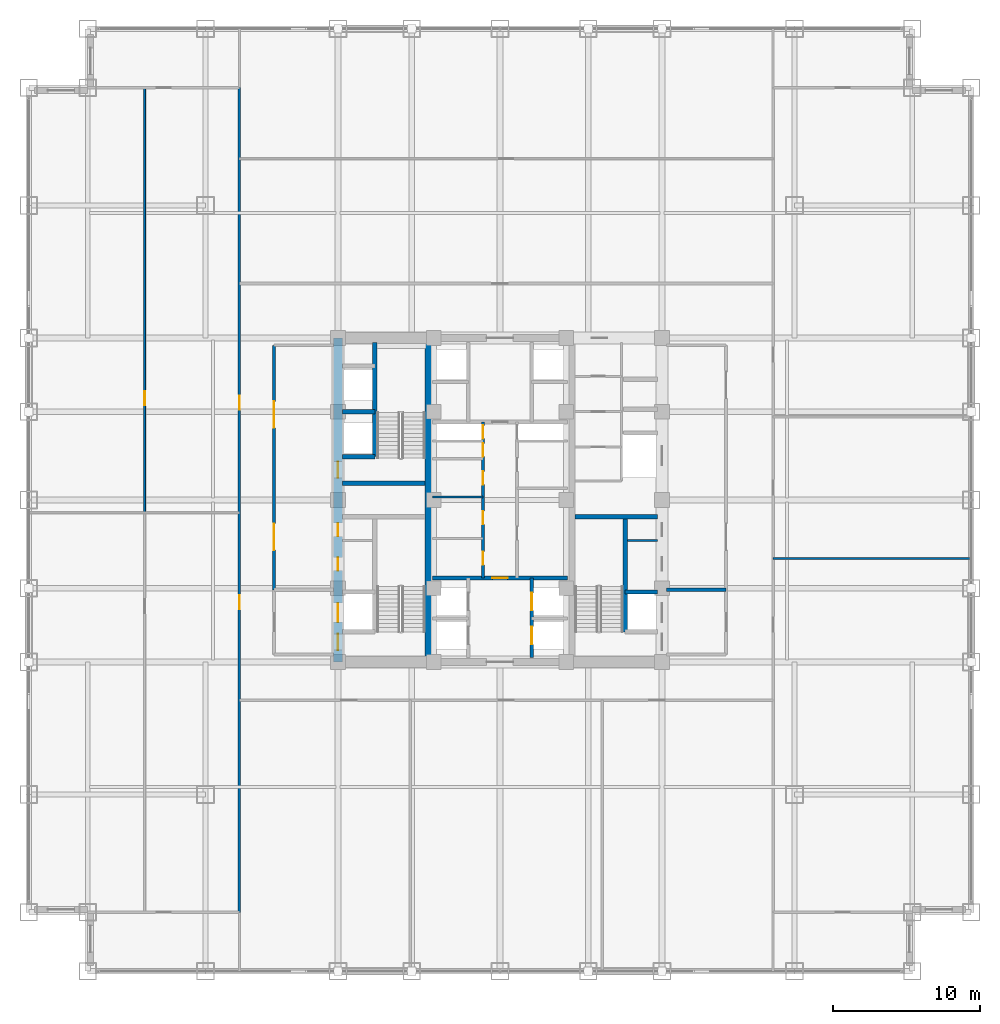
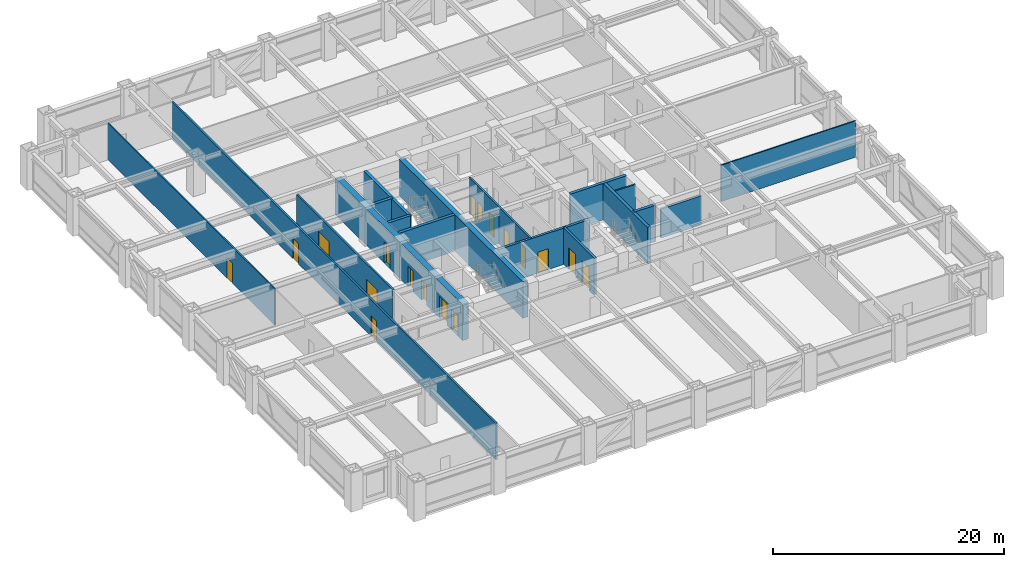
# One storey, part 24 of 27: 19 walls, 18 doors, 18 openings.
"""IFC4 building model written with IfcOpenShell, lengths in metres."""

from ifc_helpers import new_model, si_unit, direction, frame, frame_2d, origin, place, context, subcontext, project, spatial, rectangle, extrude, source, transform, mapped, material, layer, layer_set, type_object, element, fill, save


model = new_model("IFC4")

# Units and contexts
model_context = context("Model", 3, precision=1e-05, world=origin(), true_north=direction((0.0, 1.0)))
body_context = subcontext(model_context, "Body", "Model", "MODEL_VIEW")
ifc_project = project(units=[si_unit("LENGTHUNIT", "METRE"), si_unit("AREAUNIT", "SQUARE_METRE"), si_unit("VOLUMEUNIT", "CUBIC_METRE"), si_unit("PLANEANGLEUNIT", "RADIAN"), si_unit("MASSUNIT", "GRAM", prefix="KILO")], contexts=[model_context])

# Site, building, storey
site_placement = place(None, origin())
site = spatial("IfcSite", under=ifc_project, at=site_placement, CompositionType="ELEMENT")
building_placement = place(site_placement, origin())
building = spatial("IfcBuilding", under=site, at=building_placement, Name="Khorayat Bourse Tower", CompositionType="ELEMENT")
storey_placement = place(building_placement, frame((0.0, 0.0, 107.800048828125)))
storey = spatial("IfcBuildingStorey", under=building, at=storey_placement, Name="L24", CompositionType="ELEMENT", Elevation=107.800048828125)

# Wall, openings, doors
ifc_material_1 = material(Name="Concrete C60/75", Category="concrete")
ifc_layer_1 = layer(ifc_material_1, 0.60009765625)
ifc_layer_set_1 = layer_set([ifc_layer_1], Name="Concrete C60/75")
wall_type_1 = type_object("IfcWallType", Name="WAL-CORE-600", PredefinedType="SHEAR", material=ifc_layer_set_1)
shared_shape_1 = source(origin(), body_context, "Body", "SweptSolid", [
    extrude(rectangle(XDim=22.0, YDim=0.60009765625, at=frame_2d((11.0, 0.0))), origin(), (0.0, 0.0, 1.0), 3.83984375),
])
wall_1_placement = place(storey_placement, frame((-11.0, -11.0, 0.0), z_axis=(0.0, 0.0, 1.0), x_axis=(0.0, 1.0, 0.0)))
wall_1 = element("IfcWall", 1, at=wall_1_placement, inside=storey, type_object=wall_type_1, Name="L24 Core Shear Wall CORE-W", PredefinedType="SHEAR", context=body_context, shape_type="MappedRepresentation", body=[
    mapped(shared_shape_1, transform((0.0, 0.0, 0.0), scale=1.0)),
])
shared_shape_2 = source(origin(), body_context, "Body", "SweptSolid", [
    extrude(rectangle(XDim=1.10009765625, YDim=2.199951171875, at=frame_2d((0.550048828125, 1.10009765625))), frame((0.0, 0.31005859375, 0.0), z_axis=(0.0, -1.0, 0.0), x_axis=(1.0, 0.0, 0.0)), (0.0, 0.0, 1.0), 0.6201171875),
])
opening_1_placement = place(wall_1_placement, frame((0.800048828125, 0.0, 0.0)))
opening_1 = element("IfcOpeningElement", 2, at=opening_1_placement, cuts=wall_1, Name="Opening DI-01", PredefinedType="OPENING", context=body_context, shape_type="MappedRepresentation", body=[
    mapped(shared_shape_2, transform((0.0, 0.0, 0.0), scale=1.0)),
])
opening_2_placement = place(wall_1_placement, frame((12.5, 0.0, 0.0)))
opening_2 = element("IfcOpeningElement", 3, at=opening_2_placement, cuts=wall_1, Name="Opening DI-01", PredefinedType="OPENING", context=body_context, shape_type="MappedRepresentation", body=[
    mapped(shared_shape_2, transform((0.0, 0.0, 0.0), scale=1.0)),
])
shared_shape_3 = source(origin(), body_context, "Body", "SweptSolid", [
    extrude(rectangle(XDim=0.89990234375, YDim=2.14990234375, at=frame_2d((0.449951171875, 1.074951171875))), frame((0.0, 0.31005859375, 0.0), z_axis=(0.0, -1.0, 0.0), x_axis=(1.0, 0.0, 0.0)), (0.0, 0.0, 1.0), 0.6201171875),
])
opening_3_placement = place(wall_1_placement, frame((6.199951171875, 0.0, 0.0)))
opening_3 = element("IfcOpeningElement", 4, at=opening_3_placement, cuts=wall_1, Name="Opening DI-06", PredefinedType="OPENING", context=body_context, shape_type="MappedRepresentation", body=[
    mapped(shared_shape_3, transform((0.0, 0.0, 0.0), scale=1.0)),
])
opening_4_placement = place(wall_1_placement, frame((8.52490234375, 0.0, 0.0)))
opening_4 = element("IfcOpeningElement", 5, at=opening_4_placement, cuts=wall_1, Name="Opening DI-06", PredefinedType="OPENING", context=body_context, shape_type="MappedRepresentation", body=[
    mapped(shared_shape_3, transform((0.0, 0.0, 0.0), scale=1.0)),
])
shared_shape_4 = source(origin(), body_context, "Body", "SweptSolid", [
    extrude(rectangle(XDim=1.300048828125, YDim=2.300048828125, at=frame_2d((0.64990234375, 1.14990234375))), frame((0.0, 0.31005859375, 0.0), z_axis=(0.0, -1.0, 0.0), x_axis=(1.0, 0.0, 0.0)), (0.0, 0.0, 1.0), 0.6201171875),
])
opening_5_placement = place(wall_1_placement, frame((2.699951171875, 0.0, 0.0)))
opening_5 = element("IfcOpeningElement", 6, at=opening_5_placement, cuts=wall_1, Name="Opening LD-02", PredefinedType="OPENING", context=body_context, shape_type="MappedRepresentation", body=[
    mapped(shared_shape_4, transform((0.0, 0.0, 0.0), scale=1.0)),
])
ifc_material_2 = material(Name="Fire-rated steel acoustic leaf", Category="steel")
door_type_1 = type_object("IfcDoorType", Name="DR-INT-STAIR-1100", OperationType="NOTDEFINED", PredefinedType="DOOR", material=ifc_material_2)
shared_shape_5 = source(origin(), body_context, "Body", "SweptSolid", [
    extrude(rectangle(XDim=1.10009765625, YDim=2.199951171875, at=frame_2d((0.550048828125, 1.10009765625))), frame((0.0, 0.02490234375, 0.0), z_axis=(0.0, -1.0, 0.0), x_axis=(1.0, 0.0, 0.0)), (0.0, 0.0, 1.0), 0.050048828125),
])
door_1_placement = place(opening_1_placement, origin())
door_1 = element("IfcDoor", 7, at=door_1_placement, inside=storey, type_object=door_type_1, Name="L24 Exit Stair 1 Door", OperationType="SINGLE_SWING_RIGHT", OverallHeight=2.199951171875, OverallWidth=1.10009765625, PredefinedType="DOOR", context=body_context, shape_type="MappedRepresentation", body=[
    mapped(shared_shape_5, transform((0.0, 0.0, 0.0), scale=1.0)),
])
fill(opening_1, door_1)
door_2_placement = place(opening_2_placement, origin())
door_2 = element("IfcDoor", 8, at=door_2_placement, inside=storey, type_object=door_type_1, Name="L24 Exit Stair 2 Door", OperationType="SINGLE_SWING_RIGHT", OverallHeight=2.199951171875, OverallWidth=1.10009765625, PredefinedType="DOOR", context=body_context, shape_type="MappedRepresentation", body=[
    mapped(shared_shape_5, transform((0.0, 0.0, 0.0), scale=1.0)),
])
fill(opening_2, door_2)
ifc_material_3 = material(Name="Moisture-resistant laminate washroom door")
door_type_2 = type_object("IfcDoorType", Name="DR-INT-WC-900", OperationType="NOTDEFINED", PredefinedType="DOOR", material=ifc_material_3)
shared_shape_6 = source(origin(), body_context, "Body", "SweptSolid", [
    extrude(rectangle(XDim=0.89990234375, YDim=2.14990234375, at=frame_2d((0.449951171875, 1.074951171875))), frame((0.0, 0.02490234375, 0.0), z_axis=(0.0, -1.0, 0.0), x_axis=(1.0, 0.0, 0.0)), (0.0, 0.0, 1.0), 0.050048828125),
])
door_3_placement = place(opening_3_placement, origin())
door_3 = element("IfcDoor", 9, at=door_3_placement, inside=storey, type_object=door_type_2, Name="L24 Switch Closet Door", OperationType="SINGLE_SWING_RIGHT", OverallHeight=2.14990234375, OverallWidth=0.89990234375, PredefinedType="DOOR", context=body_context, shape_type="MappedRepresentation", body=[
    mapped(shared_shape_6, transform((0.0, 0.0, 0.0), scale=1.0)),
])
fill(opening_3, door_3)
door_4_placement = place(opening_4_placement, origin())
door_4 = element("IfcDoor", 10, at=door_4_placement, inside=storey, type_object=door_type_2, Name="L24 Janitor Store Door", OperationType="SINGLE_SWING_LEFT", OverallHeight=2.14990234375, OverallWidth=0.89990234375, PredefinedType="DOOR", context=body_context, shape_type="MappedRepresentation", body=[
    mapped(shared_shape_6, transform((0.0, 0.0, 0.0), scale=1.0)),
])
fill(opening_4, door_4)
ifc_material_4 = material(Name="Fire-rated stainless-steel sliding landing door", Category="steel")
door_type_3 = type_object("IfcDoorType", Name="DR-LIFT-FF-1300", OperationType="NOTDEFINED", PredefinedType="DOOR", material=ifc_material_4)
shared_shape_7 = source(origin(), body_context, "Body", "SweptSolid", [
    extrude(rectangle(XDim=1.300048828125, YDim=2.300048828125, at=frame_2d((0.64990234375, 1.14990234375))), frame((0.0, 0.02490234375, 0.0), z_axis=(0.0, -1.0, 0.0), x_axis=(1.0, 0.0, 0.0)), (0.0, 0.0, 1.0), 0.050048828125),
])
door_5_placement = place(opening_5_placement, origin())
door_5 = element("IfcDoor", 11, at=door_5_placement, inside=storey, type_object=door_type_3, Name="L24 Lift FFL-01 Sliding Landing Door", OperationType="SLIDING_TO_LEFT", OverallHeight=2.300048828125, OverallWidth=1.300048828125, PredefinedType="DOOR", context=body_context, shape_type="MappedRepresentation", body=[
    mapped(shared_shape_7, transform((0.0, 0.0, 0.0), scale=1.0)),
])
fill(opening_5, door_5)

# Walls
ifc_material_5 = material(Name="Concrete C52/65", Category="concrete")
ifc_layer_2 = layer(ifc_material_5, 0.5)
ifc_layer_set_2 = layer_set([ifc_layer_2], Name="Concrete C52/65")
wall_type_2 = type_object("IfcWallType", Name="WAL-CORE-500", PredefinedType="SHEAR", material=ifc_layer_set_2)
shared_shape_8 = source(origin(), body_context, "Body", "SweptSolid", [
    extrude(rectangle(XDim=21.39990234375, YDim=0.5, at=frame_2d((10.699951171875, 0.0))), origin(), (0.0, 0.0, 1.0), 3.83984375),
])
wall_2_placement = place(storey_placement, frame((-4.85009765625, -10.699951171875, 0.0), z_axis=(0.0, 0.0, 1.0), x_axis=(0.0, 1.0, 0.0)))
element("IfcWall", 12, at=wall_2_placement, inside=storey, type_object=wall_type_2, Name="L24 Core Shear Wall PIER-W", PredefinedType="SHEAR", context=body_context, shape_type="MappedRepresentation", body=[
    mapped(shared_shape_8, transform((0.0, 0.0, 0.0), scale=1.0)),
])
ifc_material_6 = material(Name="Concrete C50/60", Category="concrete")
ifc_layer_3 = layer(ifc_material_6, 0.300048828125)
ifc_layer_set_3 = layer_set([ifc_layer_3], Name="Concrete C50/60")
wall_type_3 = type_object("IfcWallType", Name="WAL-SHAFT-300", PredefinedType="SHEAR", material=ifc_layer_set_3)
shared_shape_9 = source(origin(), body_context, "Body", "SweptSolid", [
    extrude(rectangle(XDim=5.599853515625, YDim=0.300048828125, at=frame_2d((2.7998046875, 0.0))), origin(), (0.0, 0.0, 1.0), 3.83984375),
])
for number, where, z_axis, x_axis, name in (
    (13, (-10.699951171875, 1.14990234375, 0.0), (0.0, 0.0, 1.0), (1.0, 0.0, 0.0), "L24 Core Shear Wall ST2-DIV"),
    (14, (5.10009765625, -1.14990234375, 0.0), (0.0, 0.0, 1.0), (1.0, 0.0, 0.0), "L24 Core Shear Wall ST3-DIV"),
):
    element("IfcWall", number, at=place(storey_placement, frame(where, z_axis=z_axis, x_axis=x_axis)), inside=storey, type_object=wall_type_3, Name=name, PredefinedType="SHEAR", context=body_context, shape_type="MappedRepresentation", body=[
        mapped(shared_shape_9, transform((0.0, 0.0, 0.0), scale=1.0)),
    ])
ifc_material_7 = material(Name="Aerated concrete blockwork", Category="masonry")
ifc_layer_4 = layer(ifc_material_7, 0.219970703125)
ifc_layer_set_4 = layer_set([ifc_layer_4], Name="Aerated concrete blockwork")
wall_type_4 = type_object("IfcWallType", Name="WAL-PART-FF-220", PredefinedType="PARTITIONING", material=ifc_layer_set_4)
shared_shape_10 = source(origin(), body_context, "Body", "SweptSolid", [
    extrude(rectangle(XDim=4.050048828125, YDim=0.219970703125, at=frame_2d((2.02490234375, 0.0))), origin(), (0.0, 0.0, 1.0), 3.06689453125),
])
wall_3_placement = place(storey_placement, frame((11.300048828125, -6.10009765625, 0.0), z_axis=(0.0, 0.0, 1.0), x_axis=(1.0, 0.0, 0.0)))
element("IfcWall", 15, at=wall_3_placement, inside=storey, type_object=wall_type_4, Name="L24 Partition WAL-L24-FFLE-N", PredefinedType="PARTITIONING", context=body_context, shape_type="MappedRepresentation", body=[
    mapped(shared_shape_10, transform((0.0, 0.0, 0.0), scale=1.0)),
])
shared_shape_11 = source(origin(), body_context, "Body", "SweptSolid", [
    extrude(rectangle(XDim=7.800048828125, YDim=0.300048828125, at=frame_2d((3.89990234375, 0.0))), origin(), (0.0, 0.0, 1.0), 3.83984375),
])
wall_4_placement = place(storey_placement, frame((8.5, -8.949951171875, 0.0), z_axis=(0.0, 0.0, 1.0), x_axis=(0.0, 1.0, 0.0)))
element("IfcWall", 16, at=wall_4_placement, inside=storey, type_object=wall_type_3, Name="L24 Partition WAL-L24-EPIER-SP", PredefinedType="SHEAR", context=body_context, shape_type="MappedRepresentation", body=[
    mapped(shared_shape_11, transform((0.0, 0.0, 0.0), scale=1.0)),
])
shared_shape_12 = source(origin(), body_context, "Body", "SweptSolid", [
    extrude(rectangle(XDim=2.199951171875, YDim=0.300048828125, at=frame_2d((1.10009765625, 0.0))), origin(), (0.0, 0.0, 1.0), 3.83984375),
])
for number, where, z_axis, x_axis, name in (
    (17, (-10.699951171875, 2.949951171875, 0.0), (0.0, 0.0, 1.0), (1.0, 0.0, 0.0), "L24 Partition WAL-L24-WPIER-H1S"),
    (18, (-10.699951171875, 6.0, 0.0), (0.0, 0.0, 1.0), (1.0, 0.0, 0.0), "L24 Partition WAL-L24-WPIER-H12"),
    (19, (8.5, -6.25, 0.0), (0.0, 0.0, 1.0), (1.0, 0.0, 0.0), "L24 Partition WAL-L24-EPIER-FF2N"),
):
    element("IfcWall", number, at=place(storey_placement, frame(where, z_axis=z_axis, x_axis=x_axis)), inside=storey, type_object=wall_type_3, Name=name, PredefinedType="SHEAR", context=body_context, shape_type="MappedRepresentation", body=[
        mapped(shared_shape_12, transform((0.0, 0.0, 0.0), scale=1.0)),
    ])
shared_shape_13 = source(origin(), body_context, "Body", "SweptSolid", [
    extrude(rectangle(XDim=7.75, YDim=0.300048828125, at=frame_2d((3.875, 0.0))), origin(), (0.0, 0.0, 1.0), 3.83984375),
])
wall_5_placement = place(storey_placement, frame((-8.5, 2.949951171875, 0.0), z_axis=(0.0, 0.0, 1.0), x_axis=(0.0, 1.0, 0.0)))
element("IfcWall", 20, at=wall_5_placement, inside=storey, type_object=wall_type_3, Name="L24 Partition WAL-L24-WPIER-ST2S", PredefinedType="SHEAR", context=body_context, shape_type="MappedRepresentation", body=[
    mapped(shared_shape_13, transform((0.0, 0.0, 0.0), scale=1.0)),
])
ifc_material_8 = material(Name="Gypsum plasterboard twin-frame partition")
ifc_layer_5 = layer(ifc_material_8, 0.14990234375)
ifc_layer_set_5 = layer_set([ifc_layer_5], Name="Gypsum plasterboard twin-frame partition")
wall_type_5 = type_object("IfcWallType", Name="WAL-PART-SUITE-150", PredefinedType="PARTITIONING", material=ifc_layer_set_5)
shared_shape_14 = source(origin(), body_context, "Body", "SweptSolid", [
    extrude(rectangle(XDim=2.050048828125, YDim=0.14990234375, at=frame_2d((1.02490234375, 0.0))), origin(), (0.0, 0.0, 1.0), 3.83984375),
])
wall_6_placement = place(storey_placement, frame((8.64990234375, -2.75, 0.0), z_axis=(0.0, 0.0, 1.0), x_axis=(1.0, 0.0, 0.0)))
element("IfcWall", 21, at=wall_6_placement, inside=storey, type_object=wall_type_5, Name="L24 Partition WAL-L24-ESRV-D1", PredefinedType="PARTITIONING", context=body_context, shape_type="MappedRepresentation", body=[
    mapped(shared_shape_14, transform((0.0, 0.0, 0.0), scale=1.0)),
])

# Wall, openings, doors
ifc_material_9 = material(Name="Gypsum plasterboard acoustic stud wall")
ifc_layer_6 = layer(ifc_material_9, 0.179931640625)
ifc_layer_set_6 = layer_set([ifc_layer_6], Name="Gypsum plasterboard acoustic stud wall")
wall_type_6 = type_object("IfcWallType", Name="WAL-PART-CORR-180", PredefinedType="PARTITIONING", material=ifc_layer_set_6)
shared_shape_15 = source(origin(), body_context, "Body", "SweptSolid", [
    extrude(rectangle(XDim=16.60009765625, YDim=0.179931640625, at=frame_2d((8.300048828125, 0.0))), origin(), (0.0, 0.0, 1.0), 3.83984375),
])
wall_7_placement = place(storey_placement, frame((-15.35009765625, -6.10009765625, 0.0), z_axis=(0.0, 0.0, 1.0), x_axis=(0.0, 1.0, 0.0)))
wall_7 = element("IfcWall", 22, at=wall_7_placement, inside=storey, type_object=wall_type_6, Name="L24 Partition WAL-L24-WLOB-W", PredefinedType="PARTITIONING", context=body_context, shape_type="MappedRepresentation", body=[
    mapped(shared_shape_15, transform((0.0, 0.0, 0.0), scale=1.0)),
])
shared_shape_16 = source(origin(), body_context, "Body", "SweptSolid", [
    extrude(rectangle(XDim=1.800048828125, YDim=2.25, at=frame_2d((0.89990234375, 1.125))), frame((0.0, 0.099853515625, 0.0), z_axis=(0.0, -1.0, 0.0), x_axis=(1.0, 0.0, 0.0)), (0.0, 0.0, 1.0), 0.199951171875),
])
opening_6_placement = place(wall_7_placement, frame((2.699951171875, 0.0, 0.0)))
opening_6 = element("IfcOpeningElement", 23, at=opening_6_placement, cuts=wall_7, Name="Opening DI-03", PredefinedType="OPENING", context=body_context, shape_type="MappedRepresentation", body=[
    mapped(shared_shape_16, transform((0.0, 0.0, 0.0), scale=1.0)),
])
opening_7_placement = place(wall_7_placement, frame((11.0, 0.0, 0.0)))
opening_7 = element("IfcOpeningElement", 24, at=opening_7_placement, cuts=wall_7, Name="Opening DI-03", PredefinedType="OPENING", context=body_context, shape_type="MappedRepresentation", body=[
    mapped(shared_shape_16, transform((0.0, 0.0, 0.0), scale=1.0)),
])
ifc_material_10 = material(Name="Fire-rated hardwood vision-panel double leaf", Category="wood")
door_type_4 = type_object("IfcDoorType", Name="DR-INT-CORR-1800", OperationType="NOTDEFINED", PredefinedType="DOOR", material=ifc_material_10)
shared_shape_17 = source(origin(), body_context, "Body", "SweptSolid", [
    extrude(rectangle(XDim=1.800048828125, YDim=2.25, at=frame_2d((0.89990234375, 1.125))), frame((0.0, 0.02490234375, 0.0), z_axis=(0.0, -1.0, 0.0), x_axis=(1.0, 0.0, 0.0)), (0.0, 0.0, 1.0), 0.050048828125),
])
door_6_placement = place(opening_6_placement, origin())
door_6 = element("IfcDoor", 25, at=door_6_placement, inside=storey, type_object=door_type_4, Name="L24 West Core Lobby South Door", OperationType="SINGLE_SWING_LEFT", OverallHeight=2.25, OverallWidth=1.800048828125, PredefinedType="DOOR", context=body_context, shape_type="MappedRepresentation", body=[
    mapped(shared_shape_17, transform((0.0, 0.0, 0.0), scale=1.0)),
])
fill(opening_6, door_6)
door_7_placement = place(opening_7_placement, origin())
door_7 = element("IfcDoor", 26, at=door_7_placement, inside=storey, type_object=door_type_4, Name="L24 West Core Lobby North Door", OperationType="SINGLE_SWING_RIGHT", OverallHeight=2.25, OverallWidth=1.800048828125, PredefinedType="DOOR", context=body_context, shape_type="MappedRepresentation", body=[
    mapped(shared_shape_17, transform((0.0, 0.0, 0.0), scale=1.0)),
])
fill(opening_7, door_7)

shared_shape_18 = source(origin(), body_context, "Body", "SweptSolid", [
    extrude(rectangle(XDim=5.39990234375, YDim=0.25, at=frame_2d((2.699951171875, 0.0))), origin(), (0.0, 0.0, 1.0), 3.83984375),
])
wall_8_placement = place(storey_placement, frame((2.14990234375, -10.699951171875, 0.0), z_axis=(0.0, 0.0, 1.0), x_axis=(0.0, 1.0, 0.0)))
wall_8 = element("IfcWall", 27, at=wall_8_placement, inside=storey, type_object=wall_type_3, Name="L24 Partition WAL-L24-B1-E", PredefinedType="SHEAR", context=body_context, shape_type="MappedRepresentation", body=[
    mapped(shared_shape_18, transform((0.0, 0.0, 0.0), scale=1.0)),
])
shared_shape_19 = source(origin(), body_context, "Body", "SweptSolid", [
    extrude(rectangle(XDim=1.199951171875, YDim=2.300048828125, at=frame_2d((0.60009765625, 1.14990234375))), frame((0.0, 0.135009765625, 0.0), z_axis=(0.0, -1.0, 0.0), x_axis=(1.0, 0.0, 0.0)), (0.0, 0.0, 1.0), 0.27001953125),
])
opening_8_placement = place(wall_8_placement, frame((0.89990234375, 0.0, 0.0)))
opening_8 = element("IfcOpeningElement", 28, at=opening_8_placement, cuts=wall_8, Name="Opening LD-01", PredefinedType="OPENING", context=body_context, shape_type="MappedRepresentation", body=[
    mapped(shared_shape_19, transform((0.0, 0.0, 0.0), scale=1.0)),
])
opening_9_placement = place(wall_8_placement, frame((3.199951171875, 0.0, 0.0)))
opening_9 = element("IfcOpeningElement", 29, at=opening_9_placement, cuts=wall_8, Name="Opening LD-01", PredefinedType="OPENING", context=body_context, shape_type="MappedRepresentation", body=[
    mapped(shared_shape_19, transform((0.0, 0.0, 0.0), scale=1.0)),
])
ifc_material_11 = material(Name="Brushed bronze stainless-steel sliding door", Category="steel")
door_type_5 = type_object("IfcDoorType", Name="DR-LIFT-PASS-1200", OperationType="NOTDEFINED", PredefinedType="DOOR", material=ifc_material_11)
shared_shape_20 = source(origin(), body_context, "Body", "SweptSolid", [
    extrude(rectangle(XDim=1.199951171875, YDim=2.300048828125, at=frame_2d((0.60009765625, 1.14990234375))), frame((0.0, 0.02490234375, 0.0), z_axis=(0.0, -1.0, 0.0), x_axis=(1.0, 0.0, 0.0)), (0.0, 0.0, 1.0), 0.050048828125),
])
door_8_placement = place(opening_8_placement, origin())
door_8 = element("IfcDoor", 30, at=door_8_placement, inside=storey, type_object=door_type_5, Name="L24 Lift PL-L2 Sliding Landing Door", OperationType="SLIDING_TO_LEFT", OverallHeight=2.300048828125, OverallWidth=1.199951171875, PredefinedType="DOOR", context=body_context, shape_type="MappedRepresentation", body=[
    mapped(shared_shape_20, transform((0.0, 0.0, 0.0), scale=1.0)),
])
fill(opening_8, door_8)
door_9_placement = place(opening_9_placement, origin())
door_9 = element("IfcDoor", 31, at=door_9_placement, inside=storey, type_object=door_type_5, Name="L24 Lift PL-L4 Sliding Landing Door", OperationType="SLIDING_TO_LEFT", OverallHeight=2.300048828125, OverallWidth=1.199951171875, PredefinedType="DOOR", context=body_context, shape_type="MappedRepresentation", body=[
    mapped(shared_shape_20, transform((0.0, 0.0, 0.0), scale=1.0)),
])
fill(opening_9, door_9)

# Wall, opening, door
shared_shape_21 = source(origin(), body_context, "Body", "SweptSolid", [
    extrude(rectangle(XDim=9.2001953125, YDim=0.25, at=frame_2d((4.60009765625, 0.0))), origin(), (0.0, 0.0, 1.0), 3.83984375),
])
wall_9_placement = place(storey_placement, frame((-4.60009765625, -5.300048828125, 0.0), z_axis=(0.0, 0.0, 1.0), x_axis=(1.0, 0.0, 0.0)))
wall_9 = element("IfcWall", 32, at=wall_9_placement, inside=storey, type_object=wall_type_3, Name="L24 Partition WAL-L24-B1-N", PredefinedType="SHEAR", context=body_context, shape_type="MappedRepresentation", body=[
    mapped(shared_shape_21, transform((0.0, 0.0, 0.0), scale=1.0)),
])
shared_shape_22 = source(origin(), body_context, "Body", "SweptSolid", [
    extrude(rectangle(XDim=1.050048828125, YDim=2.199951171875, at=frame_2d((0.52490234375, 1.10009765625))), frame((0.0, 0.135009765625, 0.0), z_axis=(0.0, -1.0, 0.0), x_axis=(1.0, 0.0, 0.0)), (0.0, 0.0, 1.0), 0.27001953125),
])
opening_10_placement = place(wall_9_placement, frame((4.074951171875, 0.0, 0.0)))
opening_10 = element("IfcOpeningElement", 33, at=opening_10_placement, cuts=wall_9, Name="Opening DI-04", PredefinedType="OPENING", context=body_context, shape_type="MappedRepresentation", body=[
    mapped(shared_shape_22, transform((0.0, 0.0, 0.0), scale=1.0)),
])
ifc_material_12 = material(Name="Fire-rated oak veneer suite entrance door")
door_type_6 = type_object("IfcDoorType", Name="DR-INT-SUITE-1050", OperationType="NOTDEFINED", PredefinedType="DOOR", material=ifc_material_12)
shared_shape_23 = source(origin(), body_context, "Body", "SweptSolid", [
    extrude(rectangle(XDim=1.050048828125, YDim=2.199951171875, at=frame_2d((0.52490234375, 1.10009765625))), frame((0.0, 0.02490234375, 0.0), z_axis=(0.0, -1.0, 0.0), x_axis=(1.0, 0.0, 0.0)), (0.0, 0.0, 1.0), 0.050048828125),
])
door_10_placement = place(opening_10_placement, origin())
door_10 = element("IfcDoor", 34, at=door_10_placement, inside=storey, type_object=door_type_6, Name="L24 Core Spine South Door", OperationType="SINGLE_SWING_LEFT", OverallHeight=2.199951171875, OverallWidth=1.050048828125, PredefinedType="DOOR", context=body_context, shape_type="MappedRepresentation", body=[
    mapped(shared_shape_23, transform((0.0, 0.0, 0.0), scale=1.0)),
])
fill(opening_10, door_10)

# Wall, openings, doors
shared_shape_24 = source(origin(), body_context, "Body", "SweptSolid", [
    extrude(rectangle(XDim=10.60009765625, YDim=0.179931640625, at=frame_2d((5.300048828125, 0.0))), origin(), (0.0, 0.0, 1.0), 3.83984375),
])
wall_10_placement = place(storey_placement, frame((-1.14990234375, -5.300048828125, 0.0), z_axis=(0.0, 0.0, 1.0), x_axis=(0.0, 1.0, 0.0)))
wall_10 = element("IfcWall", 35, at=wall_10_placement, inside=storey, type_object=wall_type_6, Name="L24 Partition WAL-L24-CMW-L", PredefinedType="PARTITIONING", context=body_context, shape_type="MappedRepresentation", body=[
    mapped(shared_shape_24, transform((0.0, 0.0, 0.0), scale=1.0)),
])
shared_shape_25 = source(origin(), body_context, "Body", "SweptSolid", [
    extrude(rectangle(XDim=0.89990234375, YDim=2.14990234375, at=frame_2d((0.449951171875, 1.074951171875))), frame((0.0, 0.099853515625, 0.0), z_axis=(0.0, -1.0, 0.0), x_axis=(1.0, 0.0, 0.0)), (0.0, 0.0, 1.0), 0.199951171875),
])
opening_11_placement = place(wall_10_placement, frame((0.89990234375, 0.0, 0.0)))
opening_11 = element("IfcOpeningElement", 36, at=opening_11_placement, cuts=wall_10, Name="Opening DI-06", PredefinedType="OPENING", context=body_context, shape_type="MappedRepresentation", body=[
    mapped(shared_shape_25, transform((0.0, 0.0, 0.0), scale=1.0)),
])
opening_12_placement = place(wall_10_placement, frame((3.64990234375, 0.0, 0.0)))
opening_12 = element("IfcOpeningElement", 37, at=opening_12_placement, cuts=wall_10, Name="Opening DI-06", PredefinedType="OPENING", context=body_context, shape_type="MappedRepresentation", body=[
    mapped(shared_shape_25, transform((0.0, 0.0, 0.0), scale=1.0)),
])
opening_13_placement = place(wall_10_placement, frame((6.35009765625, 0.0, 0.0)))
opening_13 = element("IfcOpeningElement", 38, at=opening_13_placement, cuts=wall_10, Name="Opening DI-06", PredefinedType="OPENING", context=body_context, shape_type="MappedRepresentation", body=[
    mapped(shared_shape_25, transform((0.0, 0.0, 0.0), scale=1.0)),
])
opening_14_placement = place(wall_10_placement, frame((8.25, 0.0, 0.0)))
opening_14 = element("IfcOpeningElement", 39, at=opening_14_placement, cuts=wall_10, Name="Opening DI-06", PredefinedType="OPENING", context=body_context, shape_type="MappedRepresentation", body=[
    mapped(shared_shape_25, transform((0.0, 0.0, 0.0), scale=1.0)),
])
opening_15_placement = place(wall_10_placement, frame((9.47509765625, 0.0, 0.0)))
opening_15 = element("IfcOpeningElement", 40, at=opening_15_placement, cuts=wall_10, Name="Opening DI-06", PredefinedType="OPENING", context=body_context, shape_type="MappedRepresentation", body=[
    mapped(shared_shape_25, transform((0.0, 0.0, 0.0), scale=1.0)),
])
door_11_placement = place(opening_11_placement, origin())
door_11 = element("IfcDoor", 41, at=door_11_placement, inside=storey, type_object=door_type_2, Name="L24 Cleaners Store Door", OperationType="SINGLE_SWING_RIGHT", OverallHeight=2.14990234375, OverallWidth=0.89990234375, PredefinedType="DOOR", context=body_context, shape_type="MappedRepresentation", body=[
    mapped(shared_shape_6, transform((0.0, 0.0, 0.0), scale=1.0)),
])
fill(opening_11, door_11)
door_12_placement = place(opening_12_placement, origin())
door_12 = element("IfcDoor", 42, at=door_12_placement, inside=storey, type_object=door_type_2, Name="L24 Male Core Washroom Door", OperationType="SINGLE_SWING_LEFT", OverallHeight=2.14990234375, OverallWidth=0.89990234375, PredefinedType="DOOR", context=body_context, shape_type="MappedRepresentation", body=[
    mapped(shared_shape_6, transform((0.0, 0.0, 0.0), scale=1.0)),
])
fill(opening_12, door_12)
door_13_placement = place(opening_13_placement, origin())
door_13 = element("IfcDoor", 43, at=door_13_placement, inside=storey, type_object=door_type_2, Name="L24 Electrical Closet Door", OperationType="SINGLE_SWING_RIGHT", OverallHeight=2.14990234375, OverallWidth=0.89990234375, PredefinedType="DOOR", context=body_context, shape_type="MappedRepresentation", body=[
    mapped(shared_shape_6, transform((0.0, 0.0, 0.0), scale=1.0)),
])
fill(opening_13, door_13)
door_14_placement = place(opening_14_placement, origin())
door_14 = element("IfcDoor", 44, at=door_14_placement, inside=storey, type_object=door_type_2, Name="L24 Archive Cupboard Door", OperationType="SINGLE_SWING_LEFT", OverallHeight=2.14990234375, OverallWidth=0.89990234375, PredefinedType="DOOR", context=body_context, shape_type="MappedRepresentation", body=[
    mapped(shared_shape_6, transform((0.0, 0.0, 0.0), scale=1.0)),
])
fill(opening_14, door_14)
door_15_placement = place(opening_15_placement, origin())
door_15 = element("IfcDoor", 45, at=door_15_placement, inside=storey, type_object=door_type_2, Name="L24 West Core Riser Door", OperationType="SINGLE_SWING_LEFT", OverallHeight=2.14990234375, OverallWidth=0.89990234375, PredefinedType="DOOR", context=body_context, shape_type="MappedRepresentation", body=[
    mapped(shared_shape_6, transform((0.0, 0.0, 0.0), scale=1.0)),
])
fill(opening_15, door_15)

shared_shape_26 = source(origin(), body_context, "Body", "SweptSolid", [
    extrude(rectangle(XDim=56.0, YDim=0.179931640625, at=frame_2d((28.0, 0.0))), origin(), (0.0, 0.0, 1.0), 3.83984375),
])
wall_11_placement = place(storey_placement, frame((-17.699951171875, -28.0, 0.0), z_axis=(0.0, 0.0, 1.0), x_axis=(0.0, 1.0, 0.0)))
wall_11 = element("IfcWall", 46, at=wall_11_placement, inside=storey, type_object=wall_type_6, Name="L24 Partition WAL-L24-WCORR", PredefinedType="PARTITIONING", context=body_context, shape_type="MappedRepresentation", body=[
    mapped(shared_shape_26, transform((0.0, 0.0, 0.0), scale=1.0)),
])
shared_shape_27 = source(origin(), body_context, "Body", "SweptSolid", [
    extrude(rectangle(XDim=0.949951171875, YDim=2.14990234375, at=frame_2d((0.47509765625, 1.074951171875))), frame((0.0, 0.099853515625, 0.0), z_axis=(0.0, -1.0, 0.0), x_axis=(1.0, 0.0, 0.0)), (0.0, 0.0, 1.0), 0.199951171875),
])
opening_16_placement = place(wall_11_placement, frame((20.592529296875, 0.0, 0.0)))
opening_16 = element("IfcOpeningElement", 47, at=opening_16_placement, cuts=wall_11, Name="Opening DI-05", PredefinedType="OPENING", context=body_context, shape_type="MappedRepresentation", body=[
    mapped(shared_shape_27, transform((0.0, 0.0, 0.0), scale=1.0)),
])
opening_17_placement = place(wall_11_placement, frame((34.142578125, 0.0, 0.0)))
opening_17 = element("IfcOpeningElement", 48, at=opening_17_placement, cuts=wall_11, Name="Opening DI-05", PredefinedType="OPENING", context=body_context, shape_type="MappedRepresentation", body=[
    mapped(shared_shape_27, transform((0.0, 0.0, 0.0), scale=1.0)),
])
ifc_material_13 = material(Name="Acoustic oak veneer office door")
door_type_7 = type_object("IfcDoorType", Name="DR-INT-OFFICE-950", OperationType="NOTDEFINED", PredefinedType="DOOR", material=ifc_material_13)
shared_shape_28 = source(origin(), body_context, "Body", "SweptSolid", [
    extrude(rectangle(XDim=0.949951171875, YDim=2.14990234375, at=frame_2d((0.47509765625, 1.074951171875))), frame((0.0, 0.02490234375, 0.0), z_axis=(0.0, -1.0, 0.0), x_axis=(1.0, 0.0, 0.0)), (0.0, 0.0, 1.0), 0.050048828125),
])
door_16_placement = place(opening_16_placement, origin())
door_16 = element("IfcDoor", 49, at=door_16_placement, inside=storey, type_object=door_type_7, Name="L24 Issuer Listing Showroom W1 Door", OperationType="SINGLE_SWING_RIGHT", OverallHeight=2.14990234375, OverallWidth=0.949951171875, PredefinedType="DOOR", context=body_context, shape_type="MappedRepresentation", body=[
    mapped(shared_shape_28, transform((0.0, 0.0, 0.0), scale=1.0)),
])
fill(opening_16, door_16)
door_17_placement = place(opening_17_placement, origin())
door_17 = element("IfcDoor", 50, at=door_17_placement, inside=storey, type_object=door_type_7, Name="L24 Staff Tea Pantry W2 Door", OperationType="SINGLE_SWING_LEFT", OverallHeight=2.14990234375, OverallWidth=0.949951171875, PredefinedType="DOOR", context=body_context, shape_type="MappedRepresentation", body=[
    mapped(shared_shape_28, transform((0.0, 0.0, 0.0), scale=1.0)),
])
fill(opening_17, door_17)

# Wall
ifc_material_14 = material(Name="Moisture-resistant masonry partition", Category="masonry")
ifc_layer_7 = layer(ifc_material_14, 0.139892578125)
ifc_layer_set_7 = layer_set([ifc_layer_7], Name="Moisture-resistant masonry partition")
wall_type_7 = type_object("IfcWallType", Name="WAL-PART-WET-140", PredefinedType="PARTITIONING", material=ifc_layer_set_7)
shared_shape_29 = source(origin(), body_context, "Body", "SweptSolid", [
    extrude(rectangle(XDim=3.4501953125, YDim=0.139892578125, at=frame_2d((1.72509765625, 0.0))), origin(), (0.0, 0.0, 1.0), 3.14501953125),
])
wall_12_placement = place(storey_placement, frame((-4.60009765625, 0.199951171875, 0.0), z_axis=(0.0, 0.0, 1.0), x_axis=(1.0, 0.0, 0.0)))
element("IfcWall", 51, at=wall_12_placement, inside=storey, type_object=wall_type_7, Name="L24 Partition WAL-L24-CMW-D2", PredefinedType="PARTITIONING", context=body_context, shape_type="MappedRepresentation", body=[
    mapped(shared_shape_29, transform((0.0, 0.0, 0.0), scale=1.0)),
])

# Wall, opening, door
ifc_material_15 = material(Name="Gypsum plasterboard partition")
ifc_layer_8 = layer(ifc_material_15, 0.125)
ifc_layer_set_8 = layer_set([ifc_layer_8], Name="Gypsum plasterboard partition")
wall_type_8 = type_object("IfcWallType", Name="WAL-PART-ROOM-125", PredefinedType="PARTITIONING", material=ifc_layer_set_8)
shared_shape_30 = source(origin(), body_context, "Body", "SweptSolid", [
    extrude(rectangle(XDim=28.864990234375, YDim=0.125, at=frame_2d((14.4326171875, 0.0))), origin(), (0.0, 0.0, 1.0), 3.83984375),
])
wall_13_placement = place(storey_placement, frame((-24.135009765625, -0.864990234375, 0.0), z_axis=(0.0, 0.0, 1.0), x_axis=(0.0, 1.0, 0.0)))
wall_13 = element("IfcWall", 52, at=wall_13_placement, inside=storey, type_object=wall_type_8, Name="L24 Partition WAL-L24-WDP-2", PredefinedType="PARTITIONING", context=body_context, shape_type="MappedRepresentation", body=[
    mapped(shared_shape_30, transform((0.0, 0.0, 0.0), scale=1.0)),
])
shared_shape_31 = source(origin(), body_context, "Body", "SweptSolid", [
    extrude(rectangle(XDim=0.949951171875, YDim=2.14990234375, at=frame_2d((0.47509765625, 1.074951171875))), frame((0.0, 0.072509765625, 0.0), z_axis=(0.0, -1.0, 0.0), x_axis=(1.0, 0.0, 0.0)), (0.0, 0.0, 1.0), 0.14501953125),
])
opening_18_placement = place(wall_13_placement, frame((7.3076171875, 0.0, 0.0)))
opening_18 = element("IfcOpeningElement", 53, at=opening_18_placement, cuts=wall_13, Name="Opening DI-05", PredefinedType="OPENING", context=body_context, shape_type="MappedRepresentation", body=[
    mapped(shared_shape_31, transform((0.0, 0.0, 0.0), scale=1.0)),
])
door_18_placement = place(opening_18_placement, origin())
door_18 = element("IfcDoor", 54, at=door_18_placement, inside=storey, type_object=door_type_7, Name="L24 Clearing Records Archive Store W2B Door", OperationType="SINGLE_SWING_LEFT", OverallHeight=2.14990234375, OverallWidth=0.949951171875, PredefinedType="DOOR", context=body_context, shape_type="MappedRepresentation", body=[
    mapped(shared_shape_28, transform((0.0, 0.0, 0.0), scale=1.0)),
])
fill(opening_18, door_18)

# Wall
shared_shape_32 = source(origin(), body_context, "Body", "SweptSolid", [
    extrude(rectangle(XDim=13.449951171875, YDim=0.125, at=frame_2d((6.72509765625, 0.0))), origin(), (0.0, 0.0, 1.0), 3.83984375),
])
wall_14_placement = place(storey_placement, frame((18.550048828125, -3.97802734375, 0.0), z_axis=(0.0, 0.0, 1.0), x_axis=(1.0, 0.0, 0.0)))
element("IfcWall", 55, at=wall_14_placement, inside=storey, type_object=wall_type_8, Name="L24 Partition WAL-L24-EDV-1", PredefinedType="PARTITIONING", context=body_context, shape_type="MappedRepresentation", body=[
    mapped(shared_shape_32, transform((0.0, 0.0, 0.0), scale=1.0)),
])

save(model, "model.ifc")
